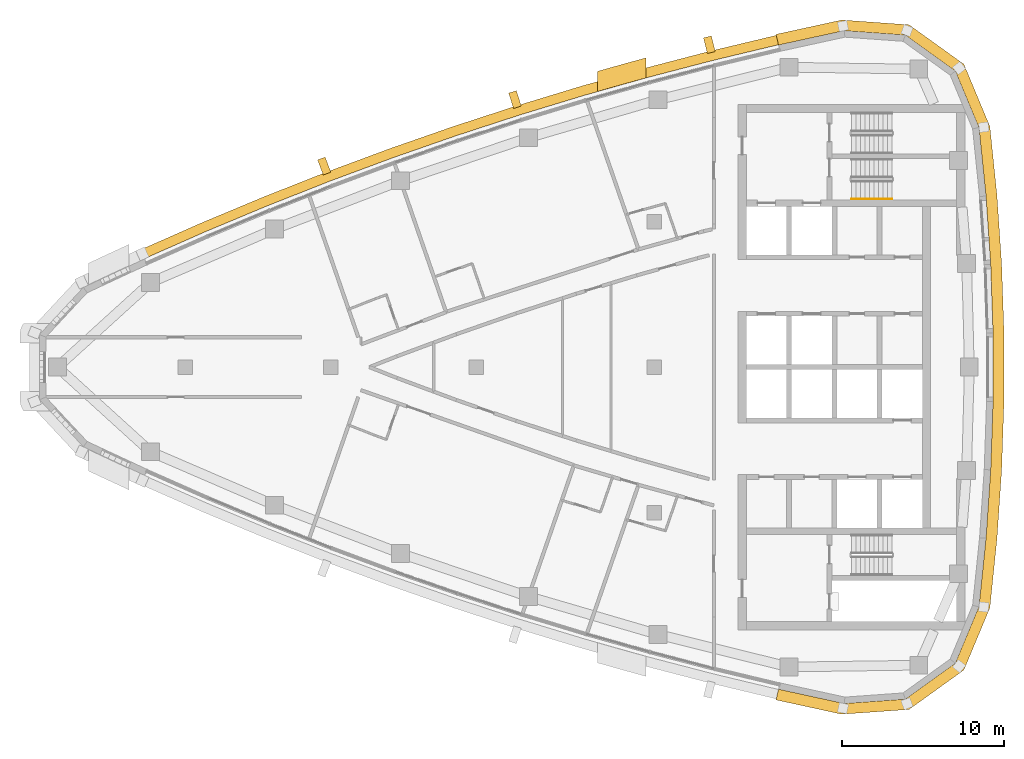
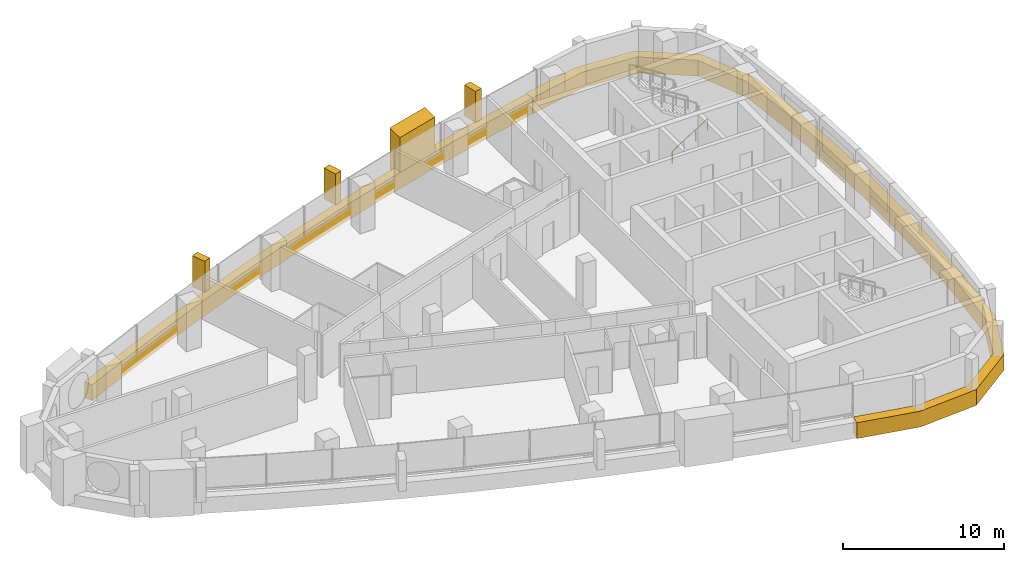
# One storey, part 13 of 14: 6 coverings, 1 railing.
"""IFC4 building model written with IfcOpenShell, lengths in metres."""

from ifc_helpers import new_model, si_unit, direction, frame, frame_2d, origin, origin_2d, place, context, subcontext, project, spatial, polyline, rectangle, circle, outline, extrude, material, layer, layer_set, type_object, element, save


model = new_model("IFC4")

# Units and contexts
model_context = context("Model", 3, precision=1e-05, world=origin(), true_north=direction((0.0, 1.0)))
body_context = subcontext(model_context, "Body", "Model", "MODEL_VIEW")
ifc_project = project(units=[si_unit("LENGTHUNIT", "METRE"), si_unit("AREAUNIT", "SQUARE_METRE"), si_unit("VOLUMEUNIT", "CUBIC_METRE"), si_unit("PLANEANGLEUNIT", "RADIAN"), si_unit("MASSUNIT", "GRAM", prefix="KILO")], contexts=[model_context])

# Site, building, storey
site_placement = place(None, origin())
site = spatial("IfcSite", under=ifc_project, at=site_placement, CompositionType="ELEMENT")
building_placement = place(site_placement, origin())
building = spatial("IfcBuilding", under=site, at=building_placement, Name="Ostrand Prow Hotel Tower", CompositionType="ELEMENT")
storey_placement = place(building_placement, frame((0.0, 0.0, 267.89990234375)))
storey = spatial("IfcBuildingStorey", under=building, at=storey_placement, Name="L67", CompositionType="ELEMENT", Elevation=267.89990234375)

# Coverings
ifc_material_1 = material(Name="Bronze anodised aluminium cladding", Category="aluminium")
ifc_layer_1 = layer(ifc_material_1, 0.60009765625)
ifc_layer_set_1 = layer_set([ifc_layer_1], Name="Bronze anodised aluminium cladding")
covering_type_1 = type_object("IfcCoveringType", Name="Bronze spandrel band 1200x600", PredefinedType="CLADDING", material=ifc_layer_set_1)
covering_1_placement = place(storey_placement, frame((0.0, 0.0, -0.2998046875)))
element("IfcCovering", 1, at=covering_1_placement, inside=storey, type_object=covering_type_1, Name="Spandrel band N1", PredefinedType="CLADDING", context=body_context, shape_type="SweptSolid", body=[
    extrude(outline(polyline([(52.55615234375, 20.52880859375), (48.51220703125, 19.56103515625), (44.48828125, 18.51220703125), (40.486328125, 17.382568359375), (36.508056640625, 16.172607421875), (32.5546875, 14.88330078125), (28.62841796875, 13.514404296875), (24.72998046875, 12.067138671875), (20.86181640625, 10.541748046875), (17.02490234375, 8.938720703125), (13.220947265625, 7.25927734375), (13.468994140625, 6.712890625), (17.26171875, 8.3876953125), (21.08740234375, 9.98583984375), (24.944580078125, 11.5068359375), (28.83154296875, 12.949951171875), (32.74658203125, 14.314697265625), (36.6884765625, 15.6005859375), (40.6552734375, 16.806884765625), (44.6455078125, 17.93310546875), (48.65771484375, 18.97900390625), (52.68994140625, 19.94384765625), (52.55615234375, 20.52880859375)])), origin(), (0.0, 0.0, 1.0), 1.199951171875),
])
covering_2_placement = place(storey_placement, frame((0.0, 0.0, -0.2998046875)))
element("IfcCovering", 2, at=covering_2_placement, inside=storey, type_object=covering_type_1, Name="Spandrel band back 1", PredefinedType="CLADDING", context=body_context, shape_type="SweptSolid", body=[
    extrude(outline(polyline([(52.542236328125, -20.58984375), (56.606201171875, -21.476318359375), (60.771728515625, -21.17919921875), (64.162841796875, -18.741455078125), (65.77197265625, -14.887451171875), (66.2080078125, -10.646240234375), (66.498779296875, -6.392822265625), (66.644287109375, -2.131591796875), (66.644287109375, 2.131591796875), (66.498779296875, 6.392822265625), (66.2080078125, 10.646240234375), (65.77197265625, 14.887451171875), (64.162841796875, 18.741455078125), (60.771728515625, 21.17919921875), (56.606201171875, 21.476318359375), (52.542236328125, 20.58984375), (52.69384765625, 19.927001953125), (56.744384765625, 20.810546875), (60.540283203125, 20.539794921875), (63.630615234375, 18.318359375), (65.0966796875, 14.806396484375), (65.530517578125, 10.58837890625), (65.819580078125, 6.35791015625), (65.964599609375, 2.1201171875), (65.964599609375, -2.1201171875), (65.819580078125, -6.35791015625), (65.530517578125, -10.58837890625), (65.0966796875, -14.806396484375), (63.630615234375, -18.318359375), (60.540283203125, -20.539794921875), (56.744384765625, -20.810546875), (52.69384765625, -19.927001953125), (52.542236328125, -20.58984375)])), origin(), (0.0, 0.0, 1.0), 1.199951171875),
])
ifc_material_2 = material(Name="Limestone cladding", Category="masonry")
ifc_layer_2 = layer(ifc_material_2, 5.0)
ifc_layer_set_2 = layer_set([ifc_layer_2], Name="Limestone cladding")
covering_type_2 = type_object("IfcCoveringType", Name="Portal jamb pilaster limestone", PredefinedType="CLADDING", material=ifc_layer_set_2)
covering_3_placement = place(storey_placement, origin())
element("IfcCovering", 3, at=covering_3_placement, inside=storey, type_object=covering_type_2, Name="Portal jamb NB L67", PredefinedType="CLADDING", context=body_context, shape_type="SweptSolid", body=[
    extrude(outline(polyline([(41.5, 17.052490234375), (42.5, 17.338134765625), (43.5, 17.61865234375), (44.5, 17.8935546875), (44.5, 19.136962890625), (43.5, 18.86376953125), (42.5, 18.585205078125), (41.5, 18.301025390625), (41.5, 17.052490234375)])), origin(), (0.0, 0.0, 1.0), 3.550048828125),
])
ifc_material_3 = material(Name="Limestone cladding", Category="masonry")
ifc_layer_3 = layer(ifc_material_3, 0.5)
ifc_layer_set_3 = layer_set([ifc_layer_3], Name="Limestone cladding")
covering_type_3 = type_object("IfcCoveringType", Name="Precast stone fin 500x900", PredefinedType="CLADDING", material=ifc_layer_set_3)
for number, where, z_axis, x_axis, name in (
    (4, (48.536376953125, 19.464111328125, 0.900146484375), (0.0, 0.0, 1.0), (-0.242707978632, 0.970099395479, 0.0), "Stone fin N 2"),
    (5, (36.5380859375, 16.077392578125, 0.900146484375), (0.0, 0.0, 1.0), (-0.30058207316, 0.953755952692, 0.0), "Stone fin N 5"),
):
    element("IfcCovering", number, at=place(storey_placement, frame(where, z_axis=z_axis, x_axis=x_axis)), inside=storey, type_object=covering_type_3, Name=name, PredefinedType="CLADDING", context=body_context, shape_type="SweptSolid", body=[
        extrude(rectangle(XDim=0.999755859375, YDim=0.5, at=frame_2d((0.5, 0.0))), origin(), (0.0, 0.0, 1.0), 2.349853515625),
    ])
covering_4_placement = place(storey_placement, frame((24.765869140625, 11.973876953125, 0.900146484375), z_axis=(0.0, 0.0, 1.0), x_axis=(-0.357456978517, 0.933929605757, 0.0)))
element("IfcCovering", 6, at=covering_4_placement, inside=storey, type_object=covering_type_3, Name="Stone fin N 8", PredefinedType="CLADDING", context=body_context, shape_type="SweptSolid", body=[
    extrude(rectangle(XDim=1.0, YDim=0.5, at=frame_2d((0.5, 0.0))), origin(), (0.0, 0.0, 1.0), 2.349853515625),
])

# Railing
ifc_material_4 = material(Name="Stainless steel", Category="steel")
railing_type = type_object("IfcRailingType", Name="Stair handrail 900", PredefinedType="HANDRAIL", material=ifc_material_4)
railing_placement = place(storey_placement, frame((57.199951171875, 10.39990234375, 0.177490234375)))
element("IfcRailing", 7, at=railing_placement, inside=storey, type_object=railing_type, Name="L67 ST1C stair handrail 1", PredefinedType="HANDRAIL", context=body_context, shape_type="SweptSolid", body=[
    extrude(circle(Radius=0.02392578125, at=origin_2d()), frame((0.0, 0.0, 0.8759765625), z_axis=(0.84456994832, 0.0, 0.535445237532), x_axis=(0.0, 1.0, 0.0)), (0.0, 0.0, 1.0), 2.98388671875),
    extrude(circle(Radius=0.02099609375, at=origin_2d()), origin(), (0.0, 0.0, 1.0), 0.851806640625),
    extrude(circle(Radius=0.02099609375, at=origin_2d()), frame((0.840087890625, 0.0, 0.532470703125)), (0.0, 0.0, 1.0), 0.851806640625),
    extrude(circle(Radius=0.02099609375, at=origin_2d()), frame((1.679931640625, 0.0, 1.065185546875)), (0.0, 0.0, 1.0), 0.851806640625),
    extrude(circle(Radius=0.02099609375, at=origin_2d()), frame((2.52001953125, 0.0, 1.59765625)), (0.0, 0.0, 1.0), 0.851806640625),
])

save(model, "model.ifc")
